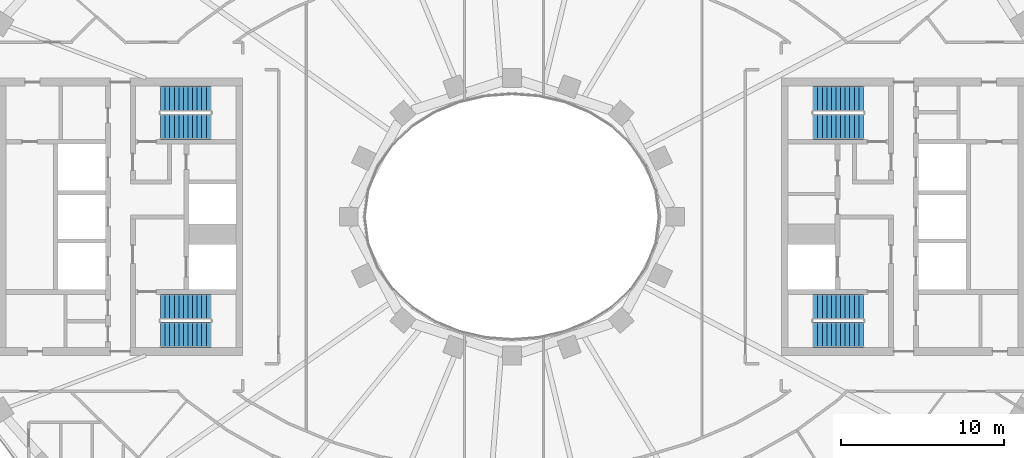
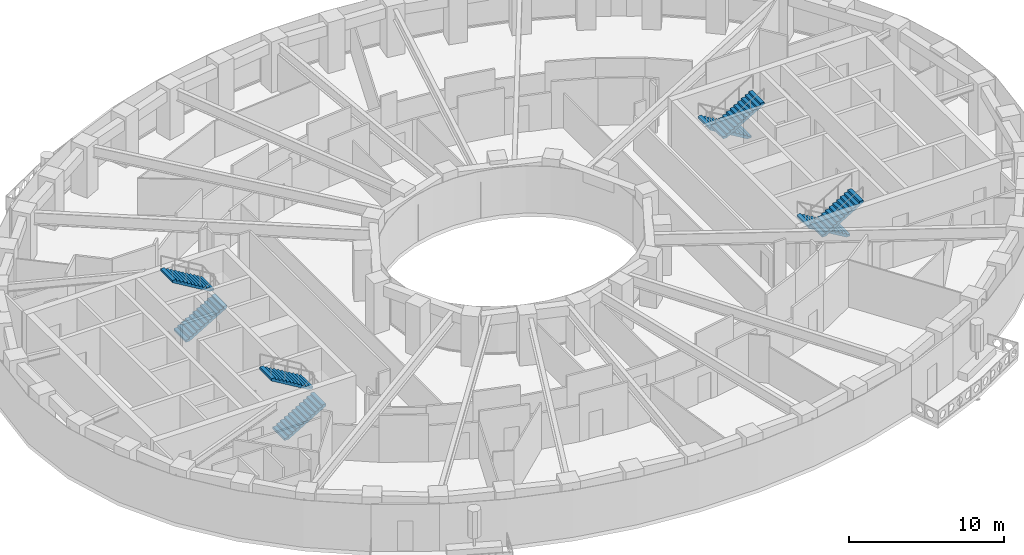
# One storey, part 8 of 16: 8 stair flights, 4 elements without a shape of their own.
"""IFC4 building model written with IfcOpenShell, lengths in metres."""

from ifc_helpers import new_model, si_unit, direction, frame, origin, place, context, subcontext, project, spatial, polyline, outline, extrude, material, type_object, element, aggregate, save


model = new_model("IFC4")

# Units and contexts
model_context = context("Model", 3, precision=1e-05, world=origin(), true_north=direction((0.0, 1.0)))
body_context = subcontext(model_context, "Body", "Model", "MODEL_VIEW")
ifc_project = project(units=[si_unit("LENGTHUNIT", "METRE"), si_unit("AREAUNIT", "SQUARE_METRE"), si_unit("VOLUMEUNIT", "CUBIC_METRE"), si_unit("PLANEANGLEUNIT", "RADIAN"), si_unit("MASSUNIT", "GRAM", prefix="KILO")], contexts=[model_context])

# Site, building, storey
site_placement = place(None, origin())
site = spatial("IfcSite", under=ifc_project, at=site_placement, CompositionType="ELEMENT")
building_placement = place(site_placement, origin())
building = spatial("IfcBuilding", under=site, at=building_placement, Name="Noorbagh Ring Tower", CompositionType="ELEMENT")
storey_placement = place(building_placement, frame((0.0, 0.0, 116.0)))
storey = spatial("IfcBuildingStorey", under=building, at=storey_placement, Name="L26", CompositionType="ELEMENT", Elevation=116.0)

# Stair, stair flights
ifc_material_1 = material(Name="Concrete C40/50", Category="concrete")
stair_type = type_object("IfcStairType", Name="CORE-STAIR", PredefinedType="HALF_TURN_STAIR", material=ifc_material_1)
stair_1_placement = place(storey_placement, origin())
stair_1 = element("IfcStair", 1, at=stair_1_placement, inside=storey, type_object=stair_type, Name="L26 Exit stair ST1", PredefinedType="HALF_TURN_STAIR")
ifc_material_2 = material(Name="Concrete C40/50", Category="concrete")
stair_flight_type = type_object("IfcStairFlightType", Name="CORE-STAIR-FLIGHT", PredefinedType="STRAIGHT", material=ifc_material_2)
stair_flight_1_placement = place(storey_placement, frame((-21.530029296875, 5.52490234375, 0.0), z_axis=(0.0, 0.0, 1.0), x_axis=(1.0, 0.0, 0.0)))
stair_flight_1 = element("IfcStairFlight", 2, at=stair_flight_1_placement, type_object=stair_flight_type, Name="ST1 flight 1", NumberOfRisers=12, NumberOfTreads=11, PredefinedType="STRAIGHT", RiserHeight=0.166666667, TreadLength=0.28, context=body_context, shape_type="SweptSolid", body=[
    extrude(outline(polyline([(0.0, 0.0), (0.0, 0.166748046875), (0.280029296875, 0.166748046875), (0.280029296875, 0.333251953125), (0.56005859375, 0.333251953125), (0.56005859375, 0.5), (0.840087890625, 0.5), (0.840087890625, 0.666748046875), (1.1201171875, 0.666748046875), (1.1201171875, 0.833251953125), (1.39990234375, 0.833251953125), (1.39990234375, 1.0), (1.679931640625, 1.0), (1.679931640625, 1.166748046875), (1.9599609375, 1.166748046875), (1.9599609375, 1.333251953125), (2.239990234375, 1.333251953125), (2.239990234375, 1.5), (2.52001953125, 1.5), (2.52001953125, 1.666748046875), (2.800048828125, 1.666748046875), (2.800048828125, 1.833251953125), (3.080078125, 1.833251953125), (3.080078125, 2.0), (3.080078125, 1.658935546875), (0.29296875, 0.0), (0.0, 0.0)])), frame((0.0, 0.77490234375, 0.0), z_axis=(0.0, -1.0, 0.0), x_axis=(1.0, 0.0, 0.0)), (0.0, 0.0, 1.0), 1.550048828125),
])
stair_flight_2_placement = place(storey_placement, frame((-18.449951171875, 7.22509765625, 2.0), z_axis=(0.0, 0.0, 1.0), x_axis=(-1.0, 0.0, 0.0)))
stair_flight_2 = element("IfcStairFlight", 3, at=stair_flight_2_placement, type_object=stair_flight_type, Name="ST1 flight 2", NumberOfRisers=12, NumberOfTreads=11, PredefinedType="STRAIGHT", RiserHeight=0.166666667, TreadLength=0.28, context=body_context, shape_type="SweptSolid", body=[
    extrude(outline(polyline([(0.0, 0.0), (0.0, 0.166748046875), (0.280029296875, 0.166748046875), (0.280029296875, 0.333251953125), (0.56005859375, 0.333251953125), (0.56005859375, 0.5), (0.840087890625, 0.5), (0.840087890625, 0.666748046875), (1.1201171875, 0.666748046875), (1.1201171875, 0.833251953125), (1.39990234375, 0.833251953125), (1.39990234375, 1.0), (1.679931640625, 1.0), (1.679931640625, 1.166748046875), (1.9599609375, 1.166748046875), (1.9599609375, 1.333251953125), (2.239990234375, 1.333251953125), (2.239990234375, 1.5), (2.52001953125, 1.5), (2.52001953125, 1.666748046875), (2.800048828125, 1.666748046875), (2.800048828125, 1.833251953125), (3.080078125, 1.833251953125), (3.080078125, 2.0), (3.080078125, 1.658935546875), (0.29296875, 0.0), (0.0, 0.0)])), frame((0.0, 0.77490234375, 0.0), z_axis=(0.0, -1.0, 0.0), x_axis=(1.0, 0.0, 0.0)), (0.0, 0.0, 1.0), 1.550048828125),
])
aggregate(stair_1, [stair_flight_1, stair_flight_2])

stair_2_placement = place(storey_placement, origin())
stair_2 = element("IfcStair", 4, at=stair_2_placement, inside=storey, type_object=stair_type, Name="L26 Exit stair ST2", PredefinedType="HALF_TURN_STAIR")
stair_flight_3_placement = place(storey_placement, frame((-21.530029296875, -7.22509765625, 0.0), z_axis=(0.0, 0.0, 1.0), x_axis=(1.0, 0.0, 0.0)))
stair_flight_3 = element("IfcStairFlight", 5, at=stair_flight_3_placement, type_object=stair_flight_type, Name="ST2 flight 1", NumberOfRisers=12, NumberOfTreads=11, PredefinedType="STRAIGHT", RiserHeight=0.166666667, TreadLength=0.28, context=body_context, shape_type="SweptSolid", body=[
    extrude(outline(polyline([(0.0, 0.0), (0.0, 0.166748046875), (0.280029296875, 0.166748046875), (0.280029296875, 0.333251953125), (0.56005859375, 0.333251953125), (0.56005859375, 0.5), (0.840087890625, 0.5), (0.840087890625, 0.666748046875), (1.1201171875, 0.666748046875), (1.1201171875, 0.833251953125), (1.39990234375, 0.833251953125), (1.39990234375, 1.0), (1.679931640625, 1.0), (1.679931640625, 1.166748046875), (1.9599609375, 1.166748046875), (1.9599609375, 1.333251953125), (2.239990234375, 1.333251953125), (2.239990234375, 1.5), (2.52001953125, 1.5), (2.52001953125, 1.666748046875), (2.800048828125, 1.666748046875), (2.800048828125, 1.833251953125), (3.080078125, 1.833251953125), (3.080078125, 2.0), (3.080078125, 1.658935546875), (0.29296875, 0.0), (0.0, 0.0)])), frame((0.0, 0.77490234375, 0.0), z_axis=(0.0, -1.0, 0.0), x_axis=(1.0, 0.0, 0.0)), (0.0, 0.0, 1.0), 1.550048828125),
])
stair_flight_4_placement = place(storey_placement, frame((-18.449951171875, -5.52490234375, 2.0), z_axis=(0.0, 0.0, 1.0), x_axis=(-1.0, 0.0, 0.0)))
stair_flight_4 = element("IfcStairFlight", 6, at=stair_flight_4_placement, type_object=stair_flight_type, Name="ST2 flight 2", NumberOfRisers=12, NumberOfTreads=11, PredefinedType="STRAIGHT", RiserHeight=0.166666667, TreadLength=0.28, context=body_context, shape_type="SweptSolid", body=[
    extrude(outline(polyline([(0.0, 0.0), (0.0, 0.166748046875), (0.280029296875, 0.166748046875), (0.280029296875, 0.333251953125), (0.56005859375, 0.333251953125), (0.56005859375, 0.5), (0.840087890625, 0.5), (0.840087890625, 0.666748046875), (1.1201171875, 0.666748046875), (1.1201171875, 0.833251953125), (1.39990234375, 0.833251953125), (1.39990234375, 1.0), (1.679931640625, 1.0), (1.679931640625, 1.166748046875), (1.9599609375, 1.166748046875), (1.9599609375, 1.333251953125), (2.239990234375, 1.333251953125), (2.239990234375, 1.5), (2.52001953125, 1.5), (2.52001953125, 1.666748046875), (2.800048828125, 1.666748046875), (2.800048828125, 1.833251953125), (3.080078125, 1.833251953125), (3.080078125, 2.0), (3.080078125, 1.658935546875), (0.29296875, 0.0), (0.0, 0.0)])), frame((0.0, 0.77490234375, 0.0), z_axis=(0.0, -1.0, 0.0), x_axis=(1.0, 0.0, 0.0)), (0.0, 0.0, 1.0), 1.550048828125),
])
aggregate(stair_2, [stair_flight_3, stair_flight_4])

stair_3_placement = place(storey_placement, origin())
stair_3 = element("IfcStair", 7, at=stair_3_placement, inside=storey, type_object=stair_type, Name="L26 Exit stair ST3", PredefinedType="HALF_TURN_STAIR")
stair_flight_5_placement = place(storey_placement, frame((21.530029296875, 7.22509765625, 0.0), z_axis=(0.0, 0.0, 1.0), x_axis=(-1.0, 0.0, 0.0)))
stair_flight_5 = element("IfcStairFlight", 8, at=stair_flight_5_placement, type_object=stair_flight_type, Name="ST3 flight 1", NumberOfRisers=12, NumberOfTreads=11, PredefinedType="STRAIGHT", RiserHeight=0.166666667, TreadLength=0.28, context=body_context, shape_type="SweptSolid", body=[
    extrude(outline(polyline([(0.0, 0.0), (0.0, 0.166748046875), (0.280029296875, 0.166748046875), (0.280029296875, 0.333251953125), (0.56005859375, 0.333251953125), (0.56005859375, 0.5), (0.840087890625, 0.5), (0.840087890625, 0.666748046875), (1.1201171875, 0.666748046875), (1.1201171875, 0.833251953125), (1.39990234375, 0.833251953125), (1.39990234375, 1.0), (1.679931640625, 1.0), (1.679931640625, 1.166748046875), (1.9599609375, 1.166748046875), (1.9599609375, 1.333251953125), (2.239990234375, 1.333251953125), (2.239990234375, 1.5), (2.52001953125, 1.5), (2.52001953125, 1.666748046875), (2.800048828125, 1.666748046875), (2.800048828125, 1.833251953125), (3.080078125, 1.833251953125), (3.080078125, 2.0), (3.080078125, 1.658935546875), (0.29296875, 0.0), (0.0, 0.0)])), frame((0.0, 0.77490234375, 0.0), z_axis=(0.0, -1.0, 0.0), x_axis=(1.0, 0.0, 0.0)), (0.0, 0.0, 1.0), 1.550048828125),
])
stair_flight_6_placement = place(storey_placement, frame((18.449951171875, 5.52490234375, 2.0), z_axis=(0.0, 0.0, 1.0), x_axis=(1.0, 0.0, 0.0)))
stair_flight_6 = element("IfcStairFlight", 9, at=stair_flight_6_placement, type_object=stair_flight_type, Name="ST3 flight 2", NumberOfRisers=12, NumberOfTreads=11, PredefinedType="STRAIGHT", RiserHeight=0.166666667, TreadLength=0.28, context=body_context, shape_type="SweptSolid", body=[
    extrude(outline(polyline([(0.0, 0.0), (0.0, 0.166748046875), (0.280029296875, 0.166748046875), (0.280029296875, 0.333251953125), (0.56005859375, 0.333251953125), (0.56005859375, 0.5), (0.840087890625, 0.5), (0.840087890625, 0.666748046875), (1.1201171875, 0.666748046875), (1.1201171875, 0.833251953125), (1.39990234375, 0.833251953125), (1.39990234375, 1.0), (1.679931640625, 1.0), (1.679931640625, 1.166748046875), (1.9599609375, 1.166748046875), (1.9599609375, 1.333251953125), (2.239990234375, 1.333251953125), (2.239990234375, 1.5), (2.52001953125, 1.5), (2.52001953125, 1.666748046875), (2.800048828125, 1.666748046875), (2.800048828125, 1.833251953125), (3.080078125, 1.833251953125), (3.080078125, 2.0), (3.080078125, 1.658935546875), (0.29296875, 0.0), (0.0, 0.0)])), frame((0.0, 0.77490234375, 0.0), z_axis=(0.0, -1.0, 0.0), x_axis=(1.0, 0.0, 0.0)), (0.0, 0.0, 1.0), 1.550048828125),
])
aggregate(stair_3, [stair_flight_5, stair_flight_6])

stair_4_placement = place(storey_placement, origin())
stair_4 = element("IfcStair", 10, at=stair_4_placement, inside=storey, type_object=stair_type, Name="L26 Exit stair ST4", PredefinedType="HALF_TURN_STAIR")
stair_flight_7_placement = place(storey_placement, frame((21.530029296875, -5.52490234375, 0.0), z_axis=(0.0, 0.0, 1.0), x_axis=(-1.0, 0.0, 0.0)))
stair_flight_7 = element("IfcStairFlight", 11, at=stair_flight_7_placement, type_object=stair_flight_type, Name="ST4 flight 1", NumberOfRisers=12, NumberOfTreads=11, PredefinedType="STRAIGHT", RiserHeight=0.166666667, TreadLength=0.28, context=body_context, shape_type="SweptSolid", body=[
    extrude(outline(polyline([(0.0, 0.0), (0.0, 0.166748046875), (0.280029296875, 0.166748046875), (0.280029296875, 0.333251953125), (0.56005859375, 0.333251953125), (0.56005859375, 0.5), (0.840087890625, 0.5), (0.840087890625, 0.666748046875), (1.1201171875, 0.666748046875), (1.1201171875, 0.833251953125), (1.39990234375, 0.833251953125), (1.39990234375, 1.0), (1.679931640625, 1.0), (1.679931640625, 1.166748046875), (1.9599609375, 1.166748046875), (1.9599609375, 1.333251953125), (2.239990234375, 1.333251953125), (2.239990234375, 1.5), (2.52001953125, 1.5), (2.52001953125, 1.666748046875), (2.800048828125, 1.666748046875), (2.800048828125, 1.833251953125), (3.080078125, 1.833251953125), (3.080078125, 2.0), (3.080078125, 1.658935546875), (0.29296875, 0.0), (0.0, 0.0)])), frame((0.0, 0.77490234375, 0.0), z_axis=(0.0, -1.0, 0.0), x_axis=(1.0, 0.0, 0.0)), (0.0, 0.0, 1.0), 1.550048828125),
])
stair_flight_8_placement = place(storey_placement, frame((18.449951171875, -7.22509765625, 2.0), z_axis=(0.0, 0.0, 1.0), x_axis=(1.0, 0.0, 0.0)))
stair_flight_8 = element("IfcStairFlight", 12, at=stair_flight_8_placement, type_object=stair_flight_type, Name="ST4 flight 2", NumberOfRisers=12, NumberOfTreads=11, PredefinedType="STRAIGHT", RiserHeight=0.166666667, TreadLength=0.28, context=body_context, shape_type="SweptSolid", body=[
    extrude(outline(polyline([(0.0, 0.0), (0.0, 0.166748046875), (0.280029296875, 0.166748046875), (0.280029296875, 0.333251953125), (0.56005859375, 0.333251953125), (0.56005859375, 0.5), (0.840087890625, 0.5), (0.840087890625, 0.666748046875), (1.1201171875, 0.666748046875), (1.1201171875, 0.833251953125), (1.39990234375, 0.833251953125), (1.39990234375, 1.0), (1.679931640625, 1.0), (1.679931640625, 1.166748046875), (1.9599609375, 1.166748046875), (1.9599609375, 1.333251953125), (2.239990234375, 1.333251953125), (2.239990234375, 1.5), (2.52001953125, 1.5), (2.52001953125, 1.666748046875), (2.800048828125, 1.666748046875), (2.800048828125, 1.833251953125), (3.080078125, 1.833251953125), (3.080078125, 2.0), (3.080078125, 1.658935546875), (0.29296875, 0.0), (0.0, 0.0)])), frame((0.0, 0.77490234375, 0.0), z_axis=(0.0, -1.0, 0.0), x_axis=(1.0, 0.0, 0.0)), (0.0, 0.0, 1.0), 1.550048828125),
])
aggregate(stair_4, [stair_flight_7, stair_flight_8])

save(model, "model.ifc")
